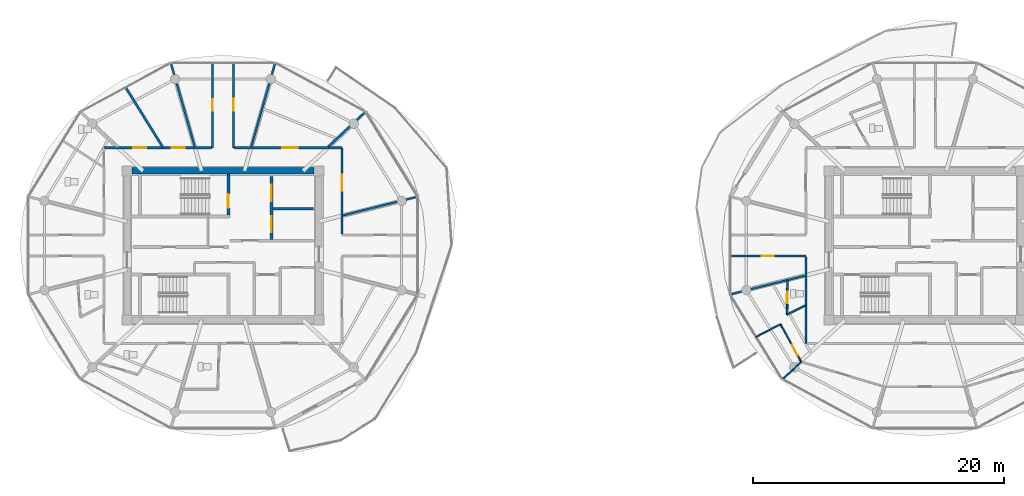
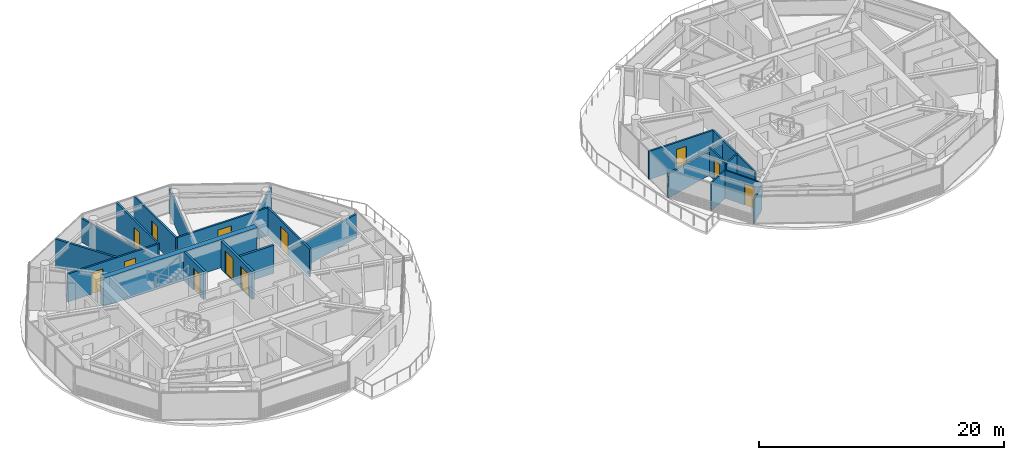
# One storey, part 11 of 19: 22 walls, 12 doors, 12 openings.
"""IFC4 building model written with IfcOpenShell, lengths in metres."""

from ifc_helpers import new_model, si_unit, direction, frame, frame_2d, origin, place, context, subcontext, project, spatial, rectangle, extrude, source, transform, mapped, material, layer, layer_set, type_object, type_shapes, element, fill, save


model = new_model("IFC4")

# Units and contexts
model_context = context("Model", 3, precision=1e-05, world=origin(), true_north=direction((0.0, 1.0)))
body_context = subcontext(model_context, "Body", "Model", "MODEL_VIEW")
ifc_project = project(units=[si_unit("LENGTHUNIT", "METRE"), si_unit("AREAUNIT", "SQUARE_METRE"), si_unit("VOLUMEUNIT", "CUBIC_METRE"), si_unit("PLANEANGLEUNIT", "RADIAN"), si_unit("MASSUNIT", "GRAM", prefix="KILO")], contexts=[model_context])

# Site, building, storey
site_placement = place(None, origin())
site = spatial("IfcSite", under=ifc_project, at=site_placement, CompositionType="ELEMENT")
building_placement = place(site_placement, origin())
building = spatial("IfcBuilding", under=site, at=building_placement, Name="Norrkilde Senior Care Towers", CompositionType="ELEMENT")
storey_placement = place(building_placement, frame((0.0, 0.0, 193.699951171875)))
storey = spatial("IfcBuildingStorey", under=building, at=storey_placement, Name="L60", CompositionType="ELEMENT", Elevation=193.699951171875)

# Wall
ifc_material_1 = material(Name="Concrete C50/60", Category="concrete")
ifc_layer_1 = layer(ifc_material_1, 0.52001953125)
ifc_layer_set_1 = layer_set([ifc_layer_1], Name="Concrete C50/60")
wall_type_1 = type_object("IfcWallType", Name="Core Shear Wall Z4 520", PredefinedType="SHEAR", material=ifc_layer_set_1)
shared_shape_1 = source(origin(), body_context, "Body", "SweptSolid", [
    extrude(rectangle(XDim=14.5, YDim=0.52001953125, at=frame_2d((7.25, 0.0))), origin(), (0.0, 0.0, 1.0), 2.81005859375),
])
type_shapes(wall_type_1, [shared_shape_1])
wall_1_placement = place(storey_placement, frame((-35.25, 5.949951171875, 0.0), z_axis=(0.0, 0.0, 1.0), x_axis=(1.0, 0.0, 0.0)))
element("IfcWall", 1, at=wall_1_placement, inside=storey, type_object=wall_type_1, Name="L60 Core W North Shear Wall", PredefinedType="SHEAR", context=body_context, shape_type="MappedRepresentation", body=[
    mapped(shared_shape_1, transform((0.0, 0.0, 0.0), x_axis=(1.0, 0.0, 0.0), y_axis=(0.0, 1.0, 0.0), z_axis=(0.0, 0.0, 1.0), scale=1.0)),
])

# Wall, openings, doors
ifc_material_2 = material(Name="Concrete C45/55", Category="concrete")
ifc_layer_2 = layer(ifc_material_2, 0.239990234375)
ifc_layer_set_2 = layer_set([ifc_layer_2], Name="Concrete C45/55")
wall_type_2 = type_object("IfcWallType", Name="Lift and Plant Rated Enclosure Partition 240", PredefinedType="PARTITIONING", material=ifc_layer_set_2)
shared_shape_2 = source(origin(), body_context, "Body", "SweptSolid", [
    extrude(rectangle(XDim=5.0, YDim=0.239990234375, at=frame_2d((2.5, 0.0))), origin(), (0.0, 0.0, 1.0), 2.795166015625),
])
type_shapes(wall_type_2, [shared_shape_2])
wall_2_placement = place(storey_placement, frame((-24.139892578125, 0.5, 0.0), z_axis=(0.0, 0.0, 1.0), x_axis=(0.0, 1.0, 0.0)))
wall_2 = element("IfcWall", 2, at=wall_2_placement, inside=storey, type_object=wall_type_2, Name="WL-INT-L60-W-FFLE", PredefinedType="PARTITIONING", context=body_context, shape_type="MappedRepresentation", body=[
    mapped(shared_shape_2, transform((0.0, 0.0, 0.0), x_axis=(1.0, 0.0, 0.0), y_axis=(0.0, 1.0, 0.0), z_axis=(0.0, 0.0, 1.0), scale=1.0)),
])
opening_1_placement = place(wall_2_placement, frame((3.050048828125, 0.0, 0.0)))
opening_1 = element("IfcOpeningElement", 3, at=opening_1_placement, cuts=wall_2, Name="Opening LD-02", PredefinedType="OPENING", context=body_context, shape_type="SweptSolid", body=[
    extrude(rectangle(XDim=1.300048828125, YDim=2.199951171875, at=frame_2d((0.64990234375, 1.10009765625))), frame((0.0, 0.1298828125, 0.0), z_axis=(0.0, -1.0, 0.0), x_axis=(1.0, 0.0, 0.0)), (0.0, 0.0, 1.0), 0.260009765625),
])
opening_2_placement = place(wall_2_placement, frame((0.550048828125, 0.0, 0.0)))
opening_2 = element("IfcOpeningElement", 4, at=opening_2_placement, cuts=wall_2, Name="Opening LD-02", PredefinedType="OPENING", context=body_context, shape_type="SweptSolid", body=[
    extrude(rectangle(XDim=1.300048828125, YDim=2.199951171875, at=frame_2d((0.64990234375, 1.10009765625))), frame((0.0, 0.1298828125, 0.0), z_axis=(0.0, -1.0, 0.0), x_axis=(1.0, 0.0, 0.0)), (0.0, 0.0, 1.0), 0.260009765625),
])
ifc_material_3 = material(Name="Stainless Steel", Category="steel")
door_type_1 = type_object("IfcDoorType", Name="Stretcher and FFL Landing Sliding Door 1300x2200", OperationType="NOTDEFINED", PredefinedType="DOOR", material=ifc_material_3)
shared_shape_3 = source(origin(), body_context, "Body", "SweptSolid", [
    extrude(rectangle(XDim=1.300048828125, YDim=2.199951171875, at=frame_2d((0.64990234375, 1.10009765625))), frame((0.0, 0.02490234375, 0.0), z_axis=(0.0, -1.0, 0.0), x_axis=(1.0, 0.0, 0.0)), (0.0, 0.0, 1.0), 0.050048828125),
])
type_shapes(door_type_1, [shared_shape_3])
door_1_placement = place(opening_1_placement, origin())
door_1 = element("IfcDoor", 5, at=door_1_placement, inside=storey, type_object=door_type_1, Name="L60 Firefighting Lift W1 Landing Door", OperationType="SLIDING_TO_LEFT", OverallHeight=2.199951171875, OverallWidth=1.300048828125, PredefinedType="DOOR", context=body_context, shape_type="MappedRepresentation", body=[
    mapped(shared_shape_3, transform((0.0, 0.0, 0.0), x_axis=(1.0, 0.0, 0.0), y_axis=(0.0, 1.0, 0.0), z_axis=(0.0, 0.0, 1.0), scale=1.0)),
])
fill(opening_1, door_1)
door_2_placement = place(opening_2_placement, origin())
door_2 = element("IfcDoor", 6, at=door_2_placement, inside=storey, type_object=door_type_1, Name="L60 Stretcher Lift W1 Landing Door", OperationType="SLIDING_TO_RIGHT", OverallHeight=2.199951171875, OverallWidth=1.300048828125, PredefinedType="DOOR", context=body_context, shape_type="MappedRepresentation", body=[
    mapped(shared_shape_3, transform((0.0, 0.0, 0.0), x_axis=(1.0, 0.0, 0.0), y_axis=(0.0, 1.0, 0.0), z_axis=(0.0, 0.0, 1.0), scale=1.0)),
])
fill(opening_2, door_2)

# Wall
ifc_layer_3 = layer(ifc_material_2, 0.199951171875)
ifc_layer_set_3 = layer_set([ifc_layer_3], Name="Concrete C45/55")
wall_type_3 = type_object("IfcWallType", Name="Shaft Division and Plant Partition 200", PredefinedType="PARTITIONING", material=ifc_layer_set_3)
shared_shape_4 = source(origin(), body_context, "Body", "SweptSolid", [
    extrude(rectangle(XDim=3.199951171875, YDim=0.199951171875, at=frame_2d((1.60009765625, 0.0))), origin(), (0.0, 0.0, 1.0), 2.795166015625),
])
type_shapes(wall_type_3, [shared_shape_4])
wall_3_placement = place(storey_placement, frame((-24.0, 2.949951171875, 0.0), z_axis=(0.0, 0.0, 1.0), x_axis=(1.0, 0.0, 0.0)))
element("IfcWall", 7, at=wall_3_placement, inside=storey, type_object=wall_type_3, Name="WL-INT-L60-W-FFLDIV", PredefinedType="PARTITIONING", context=body_context, shape_type="MappedRepresentation", body=[
    mapped(shared_shape_4, transform((0.0, 0.0, 0.0), x_axis=(1.0, 0.0, 0.0), y_axis=(0.0, 1.0, 0.0), z_axis=(0.0, 0.0, 1.0), scale=1.0)),
])

# Wall, openings, doors
ifc_material_4 = material(Name="Gypsum Acoustic Board")
ifc_layer_4 = layer(ifc_material_4, 0.1650390625)
ifc_layer_set_4 = layer_set([ifc_layer_4], Name="Gypsum Acoustic Board")
wall_type_4 = type_object("IfcWallType", Name="Corridor Rated Partition 165", PredefinedType="PARTITIONING", material=ifc_layer_set_4)
shared_shape_5 = source(origin(), body_context, "Body", "SweptSolid", [
    extrude(rectangle(XDim=8.580078125, YDim=0.1650390625, at=frame_2d((4.2900390625, 0.0))), origin(), (0.0, 0.0, 1.0), 2.795166015625),
])
wall_4_placement = place(storey_placement, frame((-37.5, 7.800048828125, 0.0), z_axis=(0.0, 0.0, 1.0), x_axis=(1.0, 0.0, 0.0)))
wall_4 = element("IfcWall", 8, at=wall_4_placement, inside=storey, type_object=wall_type_4, Name="WL-INT-L60-W-CRW-N-0", PredefinedType="PARTITIONING", context=body_context, shape_type="MappedRepresentation", body=[
    mapped(shared_shape_5, transform((0.0, 0.0, 0.0), x_axis=(1.0, 0.0, 0.0), y_axis=(0.0, 1.0, 0.0), z_axis=(0.0, 0.0, 1.0), scale=1.0)),
])
opening_3_placement = place(wall_4_placement, frame((5.40771484375, 0.0, 0.0)))
opening_3 = element("IfcOpeningElement", 9, at=opening_3_placement, cuts=wall_4, Name="Opening D-06", PredefinedType="OPENING", context=body_context, shape_type="SweptSolid", body=[
    extrude(rectangle(XDim=1.050048828125, YDim=2.14990234375, at=frame_2d((0.52490234375, 1.074951171875))), frame((0.0, 0.092529296875, 0.0), z_axis=(0.0, -1.0, 0.0), x_axis=(1.0, 0.0, 0.0)), (0.0, 0.0, 1.0), 0.18505859375),
])
opening_4_placement = place(wall_4_placement, frame((2.316650390625, 0.0, 0.0)))
opening_4 = element("IfcOpeningElement", 10, at=opening_4_placement, cuts=wall_4, Name="Opening D-06", PredefinedType="OPENING", context=body_context, shape_type="SweptSolid", body=[
    extrude(rectangle(XDim=1.050048828125, YDim=2.14990234375, at=frame_2d((0.52490234375, 1.074951171875))), frame((0.0, 0.092529296875, 0.0), z_axis=(0.0, -1.0, 0.0), x_axis=(1.0, 0.0, 0.0)), (0.0, 0.0, 1.0), 0.18505859375),
])
ifc_material_5 = material(Name="Nordic Ash Timber", Category="wood")
door_type_2 = type_object("IfcDoorType", Name="Apartment Entrance Fire Door 1050x2150", OperationType="NOTDEFINED", PredefinedType="DOOR", material=ifc_material_5)
shared_shape_6 = source(origin(), body_context, "Body", "SweptSolid", [
    extrude(rectangle(XDim=1.050048828125, YDim=2.14990234375, at=frame_2d((0.52490234375, 1.074951171875))), frame((0.0, 0.02490234375, 0.0), z_axis=(0.0, -1.0, 0.0), x_axis=(1.0, 0.0, 0.0)), (0.0, 0.0, 1.0), 0.050048828125),
])
type_shapes(door_type_2, [shared_shape_6])
door_3_placement = place(opening_3_placement, frame((1.050048828125, 0.0, 0.0), z_axis=(0.0, 0.0, 1.0), x_axis=(-1.0, 0.0, 0.0)))
door_3 = element("IfcDoor", 11, at=door_3_placement, inside=storey, type_object=door_type_2, Name="L60 Physiotherapy Clinic 3A Door", OperationType="SINGLE_SWING_RIGHT", OverallHeight=2.14990234375, OverallWidth=1.050048828125, PredefinedType="DOOR", context=body_context, shape_type="MappedRepresentation", body=[
    mapped(shared_shape_6, transform((0.0, 0.0, 0.0), x_axis=(1.0, 0.0, 0.0), y_axis=(0.0, 1.0, 0.0), z_axis=(0.0, 0.0, 1.0), scale=1.0)),
])
fill(opening_3, door_3)
door_4_placement = place(opening_4_placement, frame((1.050048828125, 0.0, 0.0), z_axis=(0.0, 0.0, 1.0), x_axis=(-1.0, 0.0, 0.0)))
door_4 = element("IfcDoor", 12, at=door_4_placement, inside=storey, type_object=door_type_2, Name="L60 Assessment Clinic 3B Door", OperationType="SINGLE_SWING_LEFT", OverallHeight=2.14990234375, OverallWidth=1.050048828125, PredefinedType="DOOR", context=body_context, shape_type="MappedRepresentation", body=[
    mapped(shared_shape_6, transform((0.0, 0.0, 0.0), x_axis=(1.0, 0.0, 0.0), y_axis=(0.0, 1.0, 0.0), z_axis=(0.0, 0.0, 1.0), scale=1.0)),
])
fill(opening_4, door_4)

# Wall, opening, door
wall_5_placement = place(storey_placement, frame((-27.080078125, 7.800048828125, 0.0), z_axis=(0.0, 0.0, 1.0), x_axis=(1.0, 0.0, 0.0)))
wall_5 = element("IfcWall", 13, at=wall_5_placement, inside=storey, type_object=wall_type_4, Name="WL-INT-L60-W-CRW-N-1", PredefinedType="PARTITIONING", context=body_context, shape_type="MappedRepresentation", body=[
    mapped(shared_shape_5, transform((0.0, 0.0, 0.0), x_axis=(1.0, 0.0, 0.0), y_axis=(0.0, 1.0, 0.0), z_axis=(0.0, 0.0, 1.0), scale=1.0)),
])
opening_5_placement = place(wall_5_placement, frame((3.802490234375, 0.0, 0.0)))
opening_5 = element("IfcOpeningElement", 14, at=opening_5_placement, cuts=wall_5, Name="Opening D-05", PredefinedType="OPENING", context=body_context, shape_type="SweptSolid", body=[
    extrude(rectangle(XDim=1.25, YDim=2.199951171875, at=frame_2d((0.625, 1.10009765625))), frame((0.0, 0.092529296875, 0.0), z_axis=(0.0, -1.0, 0.0), x_axis=(1.0, 0.0, 0.0)), (0.0, 0.0, 1.0), 0.18505859375),
])
door_type_3 = type_object("IfcDoorType", Name="Care Bedroom Bariatric Door 1250x2200", OperationType="NOTDEFINED", PredefinedType="DOOR", material=ifc_material_5)
shared_shape_7 = source(origin(), body_context, "Body", "SweptSolid", [
    extrude(rectangle(XDim=1.25, YDim=2.199951171875, at=frame_2d((0.625, 1.10009765625))), frame((0.0, 0.02490234375, 0.0), z_axis=(0.0, -1.0, 0.0), x_axis=(1.0, 0.0, 0.0)), (0.0, 0.0, 1.0), 0.050048828125),
])
type_shapes(door_type_3, [shared_shape_7])
door_5_placement = place(opening_5_placement, frame((1.25, 0.0, 0.0), z_axis=(0.0, 0.0, 1.0), x_axis=(-1.0, 0.0, 0.0)))
door_5 = element("IfcDoor", 15, at=door_5_placement, inside=storey, type_object=door_type_3, Name="L60 Senior Wellness Library Lounge Door", OperationType="SINGLE_SWING_RIGHT", OverallHeight=2.199951171875, OverallWidth=1.25, PredefinedType="DOOR", context=body_context, shape_type="MappedRepresentation", body=[
    mapped(shared_shape_7, transform((0.0, 0.0, 0.0), x_axis=(1.0, 0.0, 0.0), y_axis=(0.0, 1.0, 0.0), z_axis=(0.0, 0.0, 1.0), scale=1.0)),
])
fill(opening_5, door_5)

shared_shape_8 = source(origin(), body_context, "Body", "SweptSolid", [
    extrude(rectangle(XDim=6.880126953125, YDim=0.1650390625, at=frame_2d((3.43994140625, 0.0))), origin(), (0.0, 0.0, 1.0), 2.795166015625),
])
wall_6_placement = place(storey_placement, frame((-18.5, 7.800048828125, 0.0), z_axis=(0.0, 0.0, 1.0), x_axis=(0.0, -1.0, 0.0)))
wall_6 = element("IfcWall", 16, at=wall_6_placement, inside=storey, type_object=wall_type_4, Name="WL-INT-L60-W-CRW-E-0", PredefinedType="PARTITIONING", context=body_context, shape_type="MappedRepresentation", body=[
    mapped(shared_shape_8, transform((0.0, 0.0, 0.0), x_axis=(1.0, 0.0, 0.0), y_axis=(0.0, 1.0, 0.0), z_axis=(0.0, 0.0, 1.0), scale=1.0)),
])
opening_6_placement = place(wall_6_placement, frame((2.165771484375, 0.0, 0.0)))
opening_6 = element("IfcOpeningElement", 17, at=opening_6_placement, cuts=wall_6, Name="Opening D-05", PredefinedType="OPENING", context=body_context, shape_type="SweptSolid", body=[
    extrude(rectangle(XDim=1.25, YDim=2.199951171875, at=frame_2d((0.625, 1.10009765625))), frame((0.0, 0.092529296875, 0.0), z_axis=(0.0, -1.0, 0.0), x_axis=(1.0, 0.0, 0.0)), (0.0, 0.0, 1.0), 0.18505859375),
])
door_6_placement = place(opening_6_placement, frame((1.25, 0.0, 0.0), z_axis=(0.0, 0.0, 1.0), x_axis=(-1.0, 0.0, 0.0)))
door_6 = element("IfcDoor", 18, at=door_6_placement, inside=storey, type_object=door_type_3, Name="L60 Sky-Garden Observatory Dining Salon L60 Door", OperationType="SINGLE_SWING_LEFT", OverallHeight=2.199951171875, OverallWidth=1.25, PredefinedType="DOOR", context=body_context, shape_type="MappedRepresentation", body=[
    mapped(shared_shape_7, transform((0.0, 0.0, 0.0), x_axis=(1.0, 0.0, 0.0), y_axis=(0.0, 1.0, 0.0), z_axis=(0.0, 0.0, 1.0), scale=1.0)),
])
fill(opening_6, door_6)

# Wall
wall_7_placement = place(storey_placement, frame((18.5, -7.800048828125, 0.0), z_axis=(0.0, 0.0, 1.0), x_axis=(0.0, 1.0, 0.0)))
element("IfcWall", 19, at=wall_7_placement, inside=storey, type_object=wall_type_4, Name="WL-INT-L60-E-CRW-W-0", PredefinedType="PARTITIONING", context=body_context, shape_type="MappedRepresentation", body=[
    mapped(shared_shape_8, transform((0.0, 0.0, 0.0), x_axis=(1.0, 0.0, 0.0), y_axis=(0.0, 1.0, 0.0), z_axis=(0.0, 0.0, 1.0), scale=1.0)),
])

# Wall, opening, door
ifc_layer_5 = layer(ifc_material_2, 0.239990234375)
ifc_layer_set_5 = layer_set([ifc_layer_5], Name="Concrete C45/55")
wall_type_5 = type_object("IfcWallType", Name="Shaft and Stair Enclosure Wall 240", PredefinedType="PARTITIONING", material=ifc_layer_set_5)
shared_shape_9 = source(origin(), body_context, "Body", "SweptSolid", [
    extrude(rectangle(XDim=3.239990234375, YDim=0.239990234375, at=frame_2d((1.6201171875, 0.0))), origin(), (0.0, 0.0, 1.0), 2.81005859375),
])
type_shapes(wall_type_5, [shared_shape_9])
wall_8_placement = place(storey_placement, frame((-27.580078125, 2.449951171875, 0.0), z_axis=(0.0, 0.0, 1.0), x_axis=(0.0, 1.0, 0.0)))
wall_8 = element("IfcWall", 20, at=wall_8_placement, inside=storey, type_object=wall_type_5, Name="WL-INT-L60-W-ST1E", PredefinedType="PARTITIONING", context=body_context, shape_type="MappedRepresentation", body=[
    mapped(shared_shape_9, transform((0.0, 0.0, 0.0), x_axis=(1.0, 0.0, 0.0), y_axis=(0.0, 1.0, 0.0), z_axis=(0.0, 0.0, 1.0), scale=1.0)),
])
opening_7_placement = place(wall_8_placement, frame((0.550048828125, 0.0, 0.0)))
opening_7 = element("IfcOpeningElement", 21, at=opening_7_placement, cuts=wall_8, Name="Opening D-03", PredefinedType="OPENING", context=body_context, shape_type="SweptSolid", body=[
    extrude(rectangle(XDim=1.10009765625, YDim=2.14990234375, at=frame_2d((0.550048828125, 1.074951171875))), frame((0.0, 0.1298828125, 0.0), z_axis=(0.0, -1.0, 0.0), x_axis=(1.0, 0.0, 0.0)), (0.0, 0.0, 1.0), 0.260009765625),
])
ifc_material_6 = material(Name="Galvanised Painted Steel", Category="steel")
door_type_4 = type_object("IfcDoorType", Name="Stairwell Protected Fire Door 1100x2150", OperationType="NOTDEFINED", PredefinedType="DOOR", material=ifc_material_6)
shared_shape_10 = source(origin(), body_context, "Body", "SweptSolid", [
    extrude(rectangle(XDim=1.10009765625, YDim=2.14990234375, at=frame_2d((0.550048828125, 1.074951171875))), frame((0.0, 0.02490234375, 0.0), z_axis=(0.0, -1.0, 0.0), x_axis=(1.0, 0.0, 0.0)), (0.0, 0.0, 1.0), 0.050048828125),
])
type_shapes(door_type_4, [shared_shape_10])
door_7_placement = place(opening_7_placement, origin())
door_7 = element("IfcDoor", 22, at=door_7_placement, inside=storey, type_object=door_type_4, Name="L60 Stair W1 Fire Door", OperationType="SINGLE_SWING_LEFT", OverallHeight=2.14990234375, OverallWidth=1.10009765625, PredefinedType="DOOR", context=body_context, shape_type="MappedRepresentation", body=[
    mapped(shared_shape_10, transform((0.0, 0.0, 0.0), x_axis=(1.0, 0.0, 0.0), y_axis=(0.0, 1.0, 0.0), z_axis=(0.0, 0.0, 1.0), scale=1.0)),
])
fill(opening_7, door_7)

# Walls
shared_shape_11 = source(origin(), body_context, "Body", "SweptSolid", [
    extrude(rectangle(XDim=6.973876953125, YDim=0.1650390625, at=frame_2d((3.48681640625, 0.0))), origin(), (0.0, 0.0, 1.0), 2.39501953125),
])
for number, where, z_axis, x_axis, name in (
    (23, (-25.748779296875, 7.8798828125, 0.0), (0.0, 0.0, 1.0), (0.274707256801, 0.961527910703, 0.0), "WL-INT-L60-W-DEM-02-0"),
    (24, (-30.251220703125, 7.8798828125, 0.0), (0.0, 0.0, 1.0), (-0.274707256801, 0.961527910703, 0.0), "WL-INT-L60-W-DEM-03-0"),
):
    element("IfcWall", number, at=place(storey_placement, frame(where, z_axis=z_axis, x_axis=x_axis)), inside=storey, type_object=wall_type_4, Name=name, PredefinedType="PARTITIONING", context=body_context, shape_type="MappedRepresentation", body=[
        mapped(shared_shape_11, transform((0.0, 0.0, 0.0), x_axis=(1.0, 0.0, 0.0), y_axis=(0.0, 1.0, 0.0), z_axis=(0.0, 0.0, 1.0), scale=1.0)),
    ])
shared_shape_12 = source(origin(), body_context, "Body", "SweptSolid", [
    extrude(rectangle(XDim=6.1572265625, YDim=0.1650390625, at=frame_2d((3.07861328125, 0.0))), origin(), (0.0, 0.0, 1.0), 2.39501953125),
])
for number, where, z_axis, x_axis, name in (
    (25, (-18.419921875, 2.407470703125, 0.0), (0.0, 0.0, 1.0), (0.969840867184, 0.243738984038, 0.0), "WL-INT-L60-W-DEM-00-0"),
    (26, (18.419921875, -2.407470703125, 0.0), (0.0, 0.0, 1.0), (-0.969840867184, -0.243738984038, 0.0), "WL-INT-L60-E-DEM-06-0"),
):
    element("IfcWall", number, at=place(storey_placement, frame(where, z_axis=z_axis, x_axis=x_axis)), inside=storey, type_object=wall_type_4, Name=name, PredefinedType="PARTITIONING", context=body_context, shape_type="MappedRepresentation", body=[
        mapped(shared_shape_12, transform((0.0, 0.0, 0.0), x_axis=(1.0, 0.0, 0.0), y_axis=(0.0, 1.0, 0.0), z_axis=(0.0, 0.0, 1.0), scale=1.0)),
    ])

# Wall, opening, door
shared_shape_13 = source(origin(), body_context, "Body", "SweptSolid", [
    extrude(rectangle(XDim=6.83544921875, YDim=0.1650390625, at=frame_2d((3.417724609375, 0.0))), origin(), (0.0, 0.0, 1.0), 2.795166015625),
])
wall_9_placement = place(storey_placement, frame((-28.840087890625, 7.800048828125, 0.0), z_axis=(0.0, 0.0, 1.0), x_axis=(0.0, 1.0, 0.0)))
wall_9 = element("IfcWall", 27, at=wall_9_placement, inside=storey, type_object=wall_type_4, Name="WL-INT-L60-W-SPK-N1-0", PredefinedType="PARTITIONING", context=body_context, shape_type="MappedRepresentation", body=[
    mapped(shared_shape_13, transform((0.0, 0.0, 0.0), x_axis=(1.0, 0.0, 0.0), y_axis=(0.0, 1.0, 0.0), z_axis=(0.0, 0.0, 1.0), scale=1.0)),
])
opening_8_placement = place(wall_9_placement, frame((2.942626953125, 0.0, 0.0)))
opening_8 = element("IfcOpeningElement", 28, at=opening_8_placement, cuts=wall_9, Name="Opening D-07", PredefinedType="OPENING", context=body_context, shape_type="SweptSolid", body=[
    extrude(rectangle(XDim=0.949951171875, YDim=2.10009765625, at=frame_2d((0.47509765625, 1.050048828125))), frame((0.0, 0.092529296875, 0.0), z_axis=(0.0, -1.0, 0.0), x_axis=(1.0, 0.0, 0.0)), (0.0, 0.0, 1.0), 0.18505859375),
])
door_type_5 = type_object("IfcDoorType", Name="Internal Suite Bedroom Door 950x2100", OperationType="NOTDEFINED", PredefinedType="DOOR", material=ifc_material_5)
shared_shape_14 = source(origin(), body_context, "Body", "SweptSolid", [
    extrude(rectangle(XDim=0.949951171875, YDim=2.10009765625, at=frame_2d((0.47509765625, 1.050048828125))), frame((0.0, 0.02490234375, 0.0), z_axis=(0.0, -1.0, 0.0), x_axis=(1.0, 0.0, 0.0)), (0.0, 0.0, 1.0), 0.050048828125),
])
type_shapes(door_type_5, [shared_shape_14])
door_8_placement = place(opening_8_placement, frame((0.949951171875, 0.0, 0.0), z_axis=(0.0, 0.0, 1.0), x_axis=(-1.0, 0.0, 0.0)))
door_8 = element("IfcDoor", 29, at=door_8_placement, inside=storey, type_object=door_type_5, Name="L60 Sun Reading Lounge 3 Door", OperationType="SINGLE_SWING_RIGHT", OverallHeight=2.10009765625, OverallWidth=0.949951171875, PredefinedType="DOOR", context=body_context, shape_type="MappedRepresentation", body=[
    mapped(shared_shape_14, transform((0.0, 0.0, 0.0), x_axis=(1.0, 0.0, 0.0), y_axis=(0.0, 1.0, 0.0), z_axis=(0.0, 0.0, 1.0), scale=1.0)),
])
fill(opening_8, door_8)

wall_10_placement = place(storey_placement, frame((-27.159912109375, 14.635498046875, 0.0), z_axis=(0.0, 0.0, 1.0), x_axis=(0.0, -1.0, 0.0)))
wall_10 = element("IfcWall", 30, at=wall_10_placement, inside=storey, type_object=wall_type_4, Name="WL-INT-L60-W-SPK-N2-0", PredefinedType="PARTITIONING", context=body_context, shape_type="MappedRepresentation", body=[
    mapped(shared_shape_13, transform((0.0, 0.0, 0.0), x_axis=(1.0, 0.0, 0.0), y_axis=(0.0, 1.0, 0.0), z_axis=(0.0, 0.0, 1.0), scale=1.0)),
])
opening_9_placement = place(wall_10_placement, frame((2.942626953125, 0.0, 0.0)))
opening_9 = element("IfcOpeningElement", 31, at=opening_9_placement, cuts=wall_10, Name="Opening D-07", PredefinedType="OPENING", context=body_context, shape_type="SweptSolid", body=[
    extrude(rectangle(XDim=0.949951171875, YDim=2.10009765625, at=frame_2d((0.47509765625, 1.050048828125))), frame((0.0, 0.092529296875, 0.0), z_axis=(0.0, -1.0, 0.0), x_axis=(1.0, 0.0, 0.0)), (0.0, 0.0, 1.0), 0.18505859375),
])
door_9_placement = place(opening_9_placement, frame((0.949951171875, 0.0, 0.0), z_axis=(0.0, 0.0, 1.0), x_axis=(-1.0, 0.0, 0.0)))
door_9 = element("IfcDoor", 32, at=door_9_placement, inside=storey, type_object=door_type_5, Name="L60 Sun Reading Lounge 4 Door", OperationType="SINGLE_SWING_LEFT", OverallHeight=2.10009765625, OverallWidth=0.949951171875, PredefinedType="DOOR", context=body_context, shape_type="MappedRepresentation", body=[
    mapped(shared_shape_14, transform((0.0, 0.0, 0.0), x_axis=(1.0, 0.0, 0.0), y_axis=(0.0, 1.0, 0.0), z_axis=(0.0, 0.0, 1.0), scale=1.0)),
])
fill(opening_9, door_9)

shared_shape_15 = source(origin(), body_context, "Body", "SweptSolid", [
    extrude(rectangle(XDim=6.101318359375, YDim=0.1650390625, at=frame_2d((3.05078125, 0.0))), origin(), (0.0, 0.0, 1.0), 2.795166015625),
])
type_shapes(wall_type_4, [shared_shape_5, shared_shape_8, shared_shape_11, shared_shape_12, shared_shape_13, shared_shape_15])
wall_11_placement = place(storey_placement, frame((18.5, -0.840087890625, 0.0), z_axis=(0.0, 0.0, 1.0), x_axis=(-1.0, 0.0, 0.0)))
wall_11 = element("IfcWall", 33, at=wall_11_placement, inside=storey, type_object=wall_type_4, Name="WL-INT-L60-E-SPK-W2-0", PredefinedType="PARTITIONING", context=body_context, shape_type="MappedRepresentation", body=[
    mapped(shared_shape_15, transform((0.0, 0.0, 0.0), x_axis=(1.0, 0.0, 0.0), y_axis=(0.0, 1.0, 0.0), z_axis=(0.0, 0.0, 1.0), scale=1.0)),
])
opening_10_placement = place(wall_11_placement, frame((2.57568359375, 0.0, 0.0)))
opening_10 = element("IfcOpeningElement", 34, at=opening_10_placement, cuts=wall_11, Name="Opening D-07", PredefinedType="OPENING", context=body_context, shape_type="SweptSolid", body=[
    extrude(rectangle(XDim=0.949951171875, YDim=2.10009765625, at=frame_2d((0.47509765625, 1.050048828125))), frame((0.0, 0.092529296875, 0.0), z_axis=(0.0, -1.0, 0.0), x_axis=(1.0, 0.0, 0.0)), (0.0, 0.0, 1.0), 0.18505859375),
])
door_10_placement = place(opening_10_placement, frame((0.949951171875, 0.0, 0.0), z_axis=(0.0, 0.0, 1.0), x_axis=(-1.0, 0.0, 0.0)))
door_10 = element("IfcDoor", 35, at=door_10_placement, inside=storey, type_object=door_type_5, Name="L60 Sun Reading Lounge 1 Door", OperationType="SINGLE_SWING_RIGHT", OverallHeight=2.10009765625, OverallWidth=0.949951171875, PredefinedType="DOOR", context=body_context, shape_type="MappedRepresentation", body=[
    mapped(shared_shape_14, transform((0.0, 0.0, 0.0), x_axis=(1.0, 0.0, 0.0), y_axis=(0.0, 1.0, 0.0), z_axis=(0.0, 0.0, 1.0), scale=1.0)),
])
fill(opening_10, door_10)

# Walls
ifc_layer_6 = layer(ifc_material_4, 0.18994140625)
ifc_layer_set_6 = layer_set([ifc_layer_6], Name="Gypsum Acoustic Board")
wall_type_6 = type_object("IfcWallType", Name="Unit Demising Acoustic Wall 190", PredefinedType="PARTITIONING", material=ifc_layer_set_6)
shared_shape_16 = source(origin(), body_context, "Body", "SweptSolid", [
    extrude(rectangle(XDim=4.089111328125, YDim=0.18994140625, at=frame_2d((2.04443359375, 0.0))), origin(), (0.0, 0.0, 1.0), 2.39501953125),
])
wall_12_placement = place(storey_placement, frame((-19.59814453125, 7.8798828125, 0.0), z_axis=(0.0, 0.0, 1.0), x_axis=(0.729401273609, 0.684086092577, 0.0)))
element("IfcWall", 36, at=wall_12_placement, inside=storey, type_object=wall_type_6, Name="WL-INT-L60-W-DEM-01-0", PredefinedType="PARTITIONING", context=body_context, shape_type="MappedRepresentation", body=[
    mapped(shared_shape_16, transform((0.0, 0.0, 0.0), x_axis=(1.0, 0.0, 0.0), y_axis=(0.0, 1.0, 0.0), z_axis=(0.0, 0.0, 1.0), scale=1.0)),
])
shared_shape_17 = source(origin(), body_context, "Body", "SweptSolid", [
    extrude(rectangle(XDim=5.65185546875, YDim=0.18994140625, at=frame_2d((2.825927734375, 0.0))), origin(), (0.0, 0.0, 1.0), 2.795166015625),
])
type_shapes(wall_type_6, [shared_shape_16, shared_shape_17])
wall_13_placement = place(storey_placement, frame((-32.7939453125, 7.830078125, 0.0), z_axis=(0.0, 0.0, 1.0), x_axis=(-0.527566076956, 0.84951399897, 0.0)))
element("IfcWall", 37, at=wall_13_placement, inside=storey, type_object=wall_type_6, Name="WL-INT-L60-W-MID-03", PredefinedType="PARTITIONING", context=body_context, shape_type="MappedRepresentation", body=[
    mapped(shared_shape_17, transform((0.0, 0.0, 0.0), x_axis=(1.0, 0.0, 0.0), y_axis=(0.0, 1.0, 0.0), z_axis=(0.0, 0.0, 1.0), scale=1.0)),
])
ifc_layer_7 = layer(ifc_material_4, 0.114990234375)
ifc_layer_set_7 = layer_set([ifc_layer_7], Name="Gypsum Acoustic Board")
wall_type_7 = type_object("IfcWallType", Name="Internal Room Partition 115", PredefinedType="PARTITIONING", material=ifc_layer_set_7)
shared_shape_18 = source(origin(), body_context, "Body", "SweptSolid", [
    extrude(rectangle(XDim=2.071533203125, YDim=0.114990234375, at=frame_2d((1.03564453125, 0.0))), origin(), (0.0, 0.0, 1.0), 2.39501953125),
])
wall_14_placement = place(storey_placement, frame((18.1513671875, -9.287109375, 0.0), z_axis=(0.0, 0.0, 1.0), x_axis=(-0.741410125356, -0.671052178314, 0.0)))
element("IfcWall", 38, at=wall_14_placement, inside=storey, type_object=wall_type_7, Name="WL-INT-L60-E-UBR-06-1", PredefinedType="PARTITIONING", context=body_context, shape_type="MappedRepresentation", body=[
    mapped(shared_shape_18, transform((0.0, 0.0, 0.0), x_axis=(1.0, 0.0, 0.0), y_axis=(0.0, 1.0, 0.0), z_axis=(0.0, 0.0, 1.0), scale=1.0)),
])
ifc_layer_8 = layer(ifc_material_4, 0.139892578125)
ifc_layer_set_8 = layer_set([ifc_layer_8], Name="Gypsum Acoustic Board")
wall_type_8 = type_object("IfcWallType", Name="En-suite Wet Room Wall 140", PredefinedType="PARTITIONING", material=ifc_layer_set_8)
shared_shape_19 = source(origin(), body_context, "Body", "SweptSolid", [
    extrude(rectangle(XDim=1.638427734375, YDim=0.139892578125, at=frame_2d((0.8193359375, 0.0))), origin(), (0.0, 0.0, 1.0), 2.795166015625),
])
wall_15_placement = place(storey_placement, frame((18.469970703125, -4.7783203125, 0.0), z_axis=(0.0, 0.0, 1.0), x_axis=(-0.893919977945, -0.448226586707, 0.0)))
element("IfcWall", 39, at=wall_15_placement, inside=storey, type_object=wall_type_8, Name="WL-INT-L60-E-UBTS-06", PredefinedType="PARTITIONING", context=body_context, shape_type="MappedRepresentation", body=[
    mapped(shared_shape_19, transform((0.0, 0.0, 0.0), x_axis=(1.0, 0.0, 0.0), y_axis=(0.0, 1.0, 0.0), z_axis=(0.0, 0.0, 1.0), scale=1.0)),
])

# Wall, opening, door
shared_shape_20 = source(origin(), body_context, "Body", "SweptSolid", [
    extrude(rectangle(XDim=2.7587890625, YDim=0.139892578125, at=frame_2d((1.37939453125, 0.0))), origin(), (0.0, 0.0, 1.0), 2.795166015625),
])
type_shapes(wall_type_8, [shared_shape_19, shared_shape_20])
wall_16_placement = place(storey_placement, frame((17.00537109375, -5.5126953125, 0.0), z_axis=(0.0, 0.0, 1.0), x_axis=(0.01194710728, 0.999928630767, 0.0)))
wall_16 = element("IfcWall", 40, at=wall_16_placement, inside=storey, type_object=wall_type_8, Name="WL-INT-L60-E-UBTF-06", PredefinedType="PARTITIONING", context=body_context, shape_type="MappedRepresentation", body=[
    mapped(shared_shape_20, transform((0.0, 0.0, 0.0), x_axis=(1.0, 0.0, 0.0), y_axis=(0.0, 1.0, 0.0), z_axis=(0.0, 0.0, 1.0), scale=1.0)),
])
opening_11_placement = place(wall_16_placement, frame((0.91943359375, 0.0, 0.0)))
opening_11 = element("IfcOpeningElement", 41, at=opening_11_placement, cuts=wall_16, Name="Opening D-08", PredefinedType="OPENING", context=body_context, shape_type="SweptSolid", body=[
    extrude(rectangle(XDim=0.919921875, YDim=2.10009765625, at=frame_2d((0.4599609375, 1.050048828125))), frame((0.0, 0.079833984375, 0.0), z_axis=(0.0, -1.0, 0.0), x_axis=(1.0, 0.0, 0.0)), (0.0, 0.0, 1.0), 0.159912109375),
])
door_type_6 = type_object("IfcDoorType", Name="Accessible Wet Room Door 920x2100", OperationType="NOTDEFINED", PredefinedType="DOOR", material=ifc_material_5)
shared_shape_21 = source(origin(), body_context, "Body", "SweptSolid", [
    extrude(rectangle(XDim=0.919921875, YDim=2.10009765625, at=frame_2d((0.4599609375, 1.050048828125))), frame((0.0, 0.02490234375, 0.0), z_axis=(0.0, -1.0, 0.0), x_axis=(1.0, 0.0, 0.0)), (0.0, 0.0, 1.0), 0.050048828125),
])
type_shapes(door_type_6, [shared_shape_21])
door_11_placement = place(opening_11_placement, origin())
door_11 = element("IfcDoor", 42, at=door_11_placement, inside=storey, type_object=door_type_6, Name="Apartment 60D Bathroom Door", OperationType="SINGLE_SWING_RIGHT", OverallHeight=2.10009765625, OverallWidth=0.919921875, PredefinedType="DOOR", context=body_context, shape_type="MappedRepresentation", body=[
    mapped(shared_shape_21, transform((0.0, 0.0, 0.0), x_axis=(1.0, 0.0, 0.0), y_axis=(0.0, 1.0, 0.0), z_axis=(0.0, 0.0, 1.0), scale=1.0)),
])
fill(opening_11, door_11)

# Wall
shared_shape_22 = source(origin(), body_context, "Body", "SweptSolid", [
    extrude(rectangle(XDim=2.193115234375, YDim=0.114990234375, at=frame_2d((1.0966796875, 0.0))), origin(), (0.0, 0.0, 1.0), 2.795166015625),
])
wall_17_placement = place(storey_placement, frame((16.474609375, -6.27490234375, 0.0), z_axis=(0.0, 0.0, 1.0), x_axis=(-0.885783595046, -0.464098505435, 0.0)))
element("IfcWall", 43, at=wall_17_placement, inside=storey, type_object=wall_type_7, Name="WL-INT-L60-E-UKTS-06", PredefinedType="PARTITIONING", context=body_context, shape_type="MappedRepresentation", body=[
    mapped(shared_shape_22, transform((0.0, 0.0, 0.0), x_axis=(1.0, 0.0, 0.0), y_axis=(0.0, 1.0, 0.0), z_axis=(0.0, 0.0, 1.0), scale=1.0)),
])

# Wall, opening, door
shared_shape_23 = source(origin(), body_context, "Body", "SweptSolid", [
    extrude(rectangle(XDim=3.4501953125, YDim=0.114990234375, at=frame_2d((1.72509765625, 0.0))), origin(), (0.0, 0.0, 1.0), 2.795166015625),
])
type_shapes(wall_type_7, [shared_shape_18, shared_shape_22, shared_shape_23])
wall_18_placement = place(storey_placement, frame((16.474609375, -6.27490234375, 0.0), z_axis=(0.0, 0.0, 1.0), x_axis=(0.483659007882, -0.875256513312, 0.0)))
wall_18 = element("IfcWall", 44, at=wall_18_placement, inside=storey, type_object=wall_type_7, Name="WL-INT-L60-E-UKTF-06", PredefinedType="PARTITIONING", context=body_context, shape_type="MappedRepresentation", body=[
    mapped(shared_shape_23, transform((0.0, 0.0, 0.0), x_axis=(1.0, 0.0, 0.0), y_axis=(0.0, 1.0, 0.0), z_axis=(0.0, 0.0, 1.0), scale=1.0)),
])
opening_12_placement = place(wall_18_placement, frame((1.89990234375, 0.0, 0.0)))
opening_12 = element("IfcOpeningElement", 45, at=opening_12_placement, cuts=wall_18, Name="Opening D-07", PredefinedType="OPENING", context=body_context, shape_type="SweptSolid", body=[
    extrude(rectangle(XDim=0.949951171875, YDim=2.10009765625, at=frame_2d((0.47509765625, 1.050048828125))), frame((0.0, 0.0673828125, 0.0), z_axis=(0.0, -1.0, 0.0), x_axis=(1.0, 0.0, 0.0)), (0.0, 0.0, 1.0), 0.135009765625),
])
door_12_placement = place(opening_12_placement, frame((0.949951171875, 0.0, 0.0), z_axis=(0.0, 0.0, 1.0), x_axis=(-1.0, 0.0, 0.0)))
door_12 = element("IfcDoor", 46, at=door_12_placement, inside=storey, type_object=door_type_5, Name="Apartment 60D Kitchen Door", OperationType="SINGLE_SWING_LEFT", OverallHeight=2.10009765625, OverallWidth=0.949951171875, PredefinedType="DOOR", context=body_context, shape_type="MappedRepresentation", body=[
    mapped(shared_shape_14, transform((0.0, 0.0, 0.0), x_axis=(1.0, 0.0, 0.0), y_axis=(0.0, 1.0, 0.0), z_axis=(0.0, 0.0, 1.0), scale=1.0)),
])
fill(opening_12, door_12)

save(model, "model.ifc")
